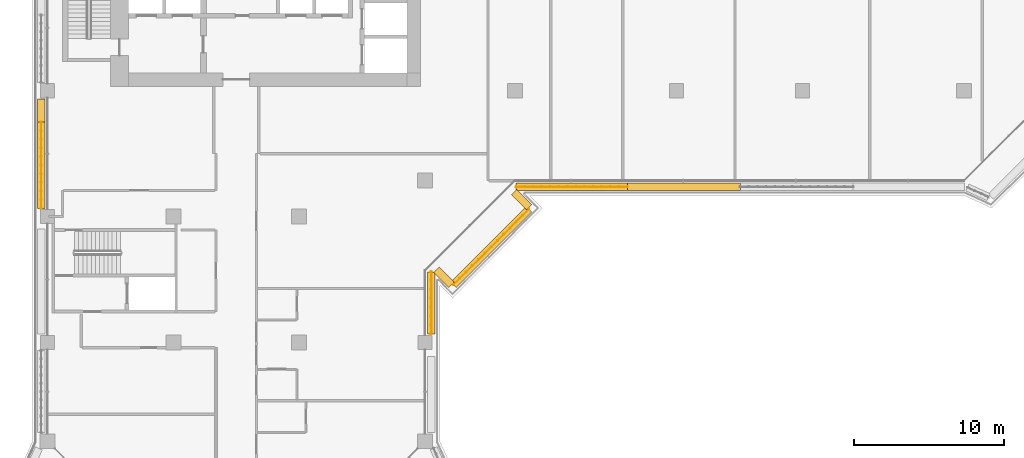
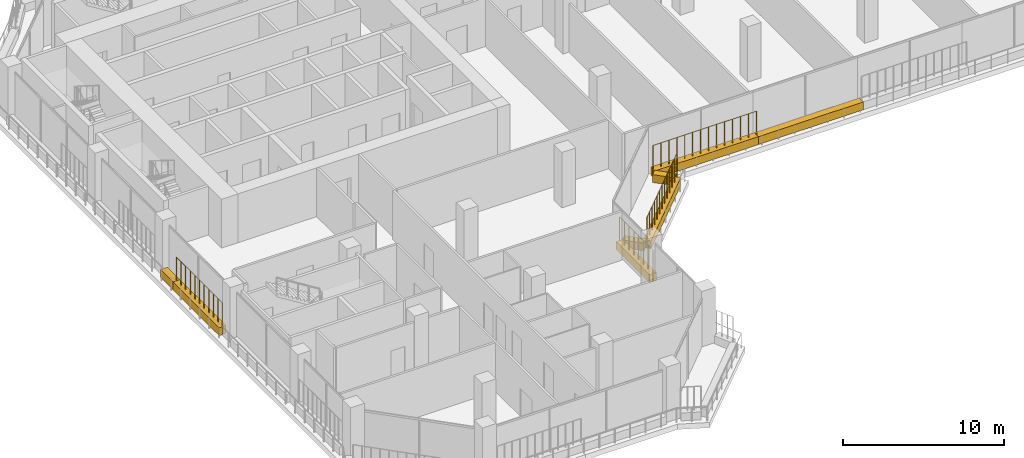
# One storey, part 17 of 22: 8 coverings, 4 railings.
"""IFC4 building model written with IfcOpenShell, lengths in metres."""

from ifc_helpers import new_model, si_unit, direction, frame, origin, origin_2d, place, context, subcontext, project, spatial, rectangle, circle, extrude, material, material_profile, profile_set, type_object, element, save


model = new_model("IFC4")

# Units and contexts
model_context = context("Model", 3, precision=1e-05, world=origin(), true_north=direction((0.0, 1.0)))
body_context = subcontext(model_context, "Body", "Model", "MODEL_VIEW")
ifc_project = project(units=[si_unit("LENGTHUNIT", "METRE"), si_unit("AREAUNIT", "SQUARE_METRE"), si_unit("VOLUMEUNIT", "CUBIC_METRE"), si_unit("PLANEANGLEUNIT", "RADIAN"), si_unit("MASSUNIT", "GRAM", prefix="KILO")], contexts=[model_context])

# Site, building, storey
site_placement = place(None, origin())
site = spatial("IfcSite", under=ifc_project, at=site_placement, CompositionType="ELEMENT")
building_placement = place(site_placement, origin())
building = spatial("IfcBuilding", under=site, at=building_placement, Name="Kawkab Arch Medical Tower", CompositionType="ELEMENT")
storey_placement = place(building_placement, frame((0.0, 0.0, 208.800048828125)))
storey = spatial("IfcBuildingStorey", under=building, at=storey_placement, Name="L48", CompositionType="ELEMENT", Elevation=208.800048828125)

# Coverings
ifc_material_1 = material(Name="Planting soil in a precast trough", Category="concrete")
ifc_material_profile = material_profile(ifc_material_1, rectangle(XDim=0.5, YDim=0.60009765625, at=origin_2d()), Name="Trough 500x600")
ifc_profile_set = profile_set([ifc_material_profile], Name="Planting soil in a precast trough")
covering_type = type_object("IfcCoveringType", Name="Planter trough 500 x 600", PredefinedType="USERDEFINED", material=ifc_profile_set)
covering_1_placement = place(storey_placement, frame((-0.419921875, -33.044921875, 0.300048828125), z_axis=(0.0, 1.0, 0.0), x_axis=(-1.0, 0.0, 0.0)))
element("IfcCovering", 1, at=covering_1_placement, inside=storey, type_object=covering_type, Name="Planter L48.LOG-01-01.9", ObjectType="PLANTER", PredefinedType="USERDEFINED", context=body_context, shape_type="SweptSolid", body=[
    extrude(rectangle(XDim=0.5, YDim=0.60009765625, at=origin_2d()), origin(), (0.0, 0.0, 1.0), 5.744873046875),
])
covering_2_placement = place(storey_placement, frame((-0.419921875, -27.300048828125, 0.300048828125), z_axis=(0.0, 1.0, 0.0), x_axis=(-1.0, 0.0, 0.0)))
element("IfcCovering", 2, at=covering_2_placement, inside=storey, type_object=covering_type, Name="Planter L48.LOG-01-01.10", ObjectType="PLANTER", PredefinedType="USERDEFINED", context=body_context, shape_type="SweptSolid", body=[
    extrude(rectangle(XDim=0.5, YDim=0.60009765625, at=origin_2d()), origin(), (0.0, 0.0, 1.0), 1.545166015625),
])
covering_3_placement = place(storey_placement, frame((46.2548828125, -31.6201171875, 0.300048828125), z_axis=(-1.0, 0.0, 0.0), x_axis=(0.0, -1.0, 0.0)))
element("IfcCovering", 3, at=covering_3_placement, inside=storey, type_object=covering_type, Name="Planter L48.LOG-01-01.36", ObjectType="PLANTER", PredefinedType="USERDEFINED", context=body_context, shape_type="SweptSolid", body=[
    extrude(rectangle(XDim=0.5, YDim=0.60009765625, at=origin_2d()), origin(), (0.0, 0.0, 1.0), 7.534912109375),
])
covering_4_placement = place(storey_placement, frame((38.719970703125, -31.6201171875, 0.300048828125), z_axis=(-1.0, 0.0, 0.0), x_axis=(0.0, -1.0, 0.0)))
element("IfcCovering", 4, at=covering_4_placement, inside=storey, type_object=covering_type, Name="Planter L48.LOG-01-01.37", ObjectType="PLANTER", PredefinedType="USERDEFINED", context=body_context, shape_type="SweptSolid", body=[
    extrude(rectangle(XDim=0.5, YDim=0.60009765625, at=origin_2d()), origin(), (0.0, 0.0, 1.0), 7.43505859375),
])
covering_5_placement = place(storey_placement, frame((31.14306640625, -31.962890625, 0.300048828125), z_axis=(0.707020805532, -0.707192746389, 0.0), x_axis=(0.707192746389, 0.707020805532, 0.0)))
element("IfcCovering", 5, at=covering_5_placement, inside=storey, type_object=covering_type, Name="Planter L48.LOG-01-01.38", ObjectType="PLANTER", PredefinedType="USERDEFINED", context=body_context, shape_type="SweptSolid", body=[
    extrude(rectangle(XDim=0.5, YDim=0.60009765625, at=origin_2d()), origin(), (0.0, 0.0, 1.0), 1.419921875),
])
covering_6_placement = place(storey_placement, frame((32.14697265625, -33.10888671875, 0.300048828125), z_axis=(-0.707106781187, -0.707106781187, 0.0), x_axis=(0.707106781187, -0.707106781187, 0.0)))
element("IfcCovering", 6, at=covering_6_placement, inside=storey, type_object=covering_type, Name="Planter L48.LOG-01-01.39", ObjectType="PLANTER", PredefinedType="USERDEFINED", context=body_context, shape_type="SweptSolid", body=[
    extrude(rectangle(XDim=0.5, YDim=0.60009765625, at=origin_2d()), origin(), (0.0, 0.0, 1.0), 7.125),
])
covering_7_placement = place(storey_placement, frame((26.967041015625, -38.14697265625, 0.300048828125), z_axis=(-0.707192746389, 0.707020805532, 0.0), x_axis=(-0.707020805532, -0.707192746389, 0.0)))
element("IfcCovering", 7, at=covering_7_placement, inside=storey, type_object=covering_type, Name="Planter L48.LOG-01-01.40", ObjectType="PLANTER", PredefinedType="USERDEFINED", context=body_context, shape_type="SweptSolid", body=[
    extrude(rectangle(XDim=0.5, YDim=0.60009765625, at=origin_2d()), origin(), (0.0, 0.0, 1.0), 1.419921875),
])
covering_8_placement = place(storey_placement, frame((25.6201171875, -37.284912109375, 0.300048828125), z_axis=(0.0, -1.0, 0.0), x_axis=(1.0, 0.0, 0.0)))
element("IfcCovering", 8, at=covering_8_placement, inside=storey, type_object=covering_type, Name="Planter L48.LOG-01-01.41", ObjectType="PLANTER", PredefinedType="USERDEFINED", context=body_context, shape_type="SweptSolid", body=[
    extrude(rectangle(XDim=0.5, YDim=0.60009765625, at=origin_2d()), origin(), (0.0, 0.0, 1.0), 4.16015625),
])

# Railings
ifc_material_2 = material(Name="Bronze anodised aluminium trellis for climbing plants", Category="aluminium")
railing_type = type_object("IfcRailingType", Name="Planting trellis 2400", PredefinedType="USERDEFINED", material=ifc_material_2)
railing_1_placement = place(storey_placement, frame((-0.419921875, -33.044921875, 0.0)))
element("IfcRailing", 9, at=railing_1_placement, inside=storey, type_object=railing_type, Name="Planting trellis L48.LOG-01-01.9", ObjectType="TRELLIS", PredefinedType="USERDEFINED", context=body_context, shape_type="SweptSolid", body=[
    extrude(circle(Radius=0.01513671875, at=origin_2d()), frame((0.0, 0.0, 2.384765625), z_axis=(0.0, 1.0, 0.0), x_axis=(-1.0, 0.0, 0.0)), (0.0, 0.0, 1.0), 5.744873046875),
    extrude(circle(Radius=0.030029296875, at=origin_2d()), origin(), (0.0, 0.0, 1.0), 2.369873046875),
    extrude(circle(Radius=0.030029296875, at=origin_2d()), frame((0.0, 0.574462890625, 0.0)), (0.0, 0.0, 1.0), 2.369873046875),
    extrude(circle(Radius=0.030029296875, at=origin_2d()), frame((0.0, 1.14892578125, 0.0)), (0.0, 0.0, 1.0), 2.369873046875),
    extrude(circle(Radius=0.030029296875, at=origin_2d()), frame((0.0, 1.723388671875, 0.0)), (0.0, 0.0, 1.0), 2.369873046875),
    extrude(circle(Radius=0.030029296875, at=origin_2d()), frame((0.0, 2.2978515625, 0.0)), (0.0, 0.0, 1.0), 2.369873046875),
    extrude(circle(Radius=0.030029296875, at=origin_2d()), frame((0.0, 2.87255859375, 0.0)), (0.0, 0.0, 1.0), 2.369873046875),
    extrude(circle(Radius=0.030029296875, at=origin_2d()), frame((0.0, 3.447021484375, 0.0)), (0.0, 0.0, 1.0), 2.369873046875),
    extrude(circle(Radius=0.030029296875, at=origin_2d()), frame((0.0, 4.021484375, 0.0)), (0.0, 0.0, 1.0), 2.369873046875),
    extrude(circle(Radius=0.030029296875, at=origin_2d()), frame((0.0, 4.595947265625, 0.0)), (0.0, 0.0, 1.0), 2.369873046875),
    extrude(circle(Radius=0.030029296875, at=origin_2d()), frame((0.0, 5.17041015625, 0.0)), (0.0, 0.0, 1.0), 2.369873046875),
    extrude(circle(Radius=0.030029296875, at=origin_2d()), frame((0.0, 5.744873046875, 0.0)), (0.0, 0.0, 1.0), 2.369873046875),
])
railing_2_placement = place(storey_placement, frame((38.719970703125, -31.6201171875, 0.0)))
element("IfcRailing", 10, at=railing_2_placement, inside=storey, type_object=railing_type, Name="Planting trellis L48.LOG-01-01.37", ObjectType="TRELLIS", PredefinedType="USERDEFINED", context=body_context, shape_type="SweptSolid", body=[
    extrude(circle(Radius=0.01513671875, at=origin_2d()), frame((0.0, 0.0, 2.384765625), z_axis=(-1.0, 0.0, 0.0), x_axis=(0.0, -1.0, 0.0)), (0.0, 0.0, 1.0), 7.43505859375),
    extrude(circle(Radius=0.030029296875, at=origin_2d()), origin(), (0.0, 0.0, 1.0), 2.369873046875),
    extrude(circle(Radius=0.030029296875, at=origin_2d()), frame((-0.572021484375, 0.0, 0.0)), (0.0, 0.0, 1.0), 2.369873046875),
    extrude(circle(Radius=0.030029296875, at=origin_2d()), frame((-1.143798828125, 0.0, 0.0)), (0.0, 0.0, 1.0), 2.369873046875),
    extrude(circle(Radius=0.030029296875, at=origin_2d()), frame((-1.7158203125, 0.0, 0.0)), (0.0, 0.0, 1.0), 2.369873046875),
    extrude(circle(Radius=0.030029296875, at=origin_2d()), frame((-2.28759765625, 0.0, 0.0)), (0.0, 0.0, 1.0), 2.369873046875),
    extrude(circle(Radius=0.030029296875, at=origin_2d()), frame((-2.859619140625, 0.0, 0.0)), (0.0, 0.0, 1.0), 2.369873046875),
    extrude(circle(Radius=0.030029296875, at=origin_2d()), frame((-3.431640625, 0.0, 0.0)), (0.0, 0.0, 1.0), 2.369873046875),
    extrude(circle(Radius=0.030029296875, at=origin_2d()), frame((-4.00341796875, 0.0, 0.0)), (0.0, 0.0, 1.0), 2.369873046875),
    extrude(circle(Radius=0.030029296875, at=origin_2d()), frame((-4.575439453125, 0.0, 0.0)), (0.0, 0.0, 1.0), 2.369873046875),
    extrude(circle(Radius=0.030029296875, at=origin_2d()), frame((-5.1474609375, 0.0, 0.0)), (0.0, 0.0, 1.0), 2.369873046875),
    extrude(circle(Radius=0.030029296875, at=origin_2d()), frame((-5.71923828125, 0.0, 0.0)), (0.0, 0.0, 1.0), 2.369873046875),
    extrude(circle(Radius=0.030029296875, at=origin_2d()), frame((-6.291259765625, 0.0, 0.0)), (0.0, 0.0, 1.0), 2.369873046875),
    extrude(circle(Radius=0.030029296875, at=origin_2d()), frame((-6.863037109375, 0.0, 0.0)), (0.0, 0.0, 1.0), 2.369873046875),
    extrude(circle(Radius=0.030029296875, at=origin_2d()), frame((-7.43505859375, 0.0, 0.0)), (0.0, 0.0, 1.0), 2.369873046875),
])
railing_3_placement = place(storey_placement, frame((32.14697265625, -33.10888671875, 0.0)))
element("IfcRailing", 11, at=railing_3_placement, inside=storey, type_object=railing_type, Name="Planting trellis L48.LOG-01-01.39", ObjectType="TRELLIS", PredefinedType="USERDEFINED", context=body_context, shape_type="SweptSolid", body=[
    extrude(circle(Radius=0.01513671875, at=origin_2d()), frame((0.0, 0.0, 2.384765625), z_axis=(-0.707106781187, -0.707106781187, 0.0), x_axis=(0.707106781187, -0.707106781187, 0.0)), (0.0, 0.0, 1.0), 7.125),
    extrude(circle(Radius=0.030029296875, at=origin_2d()), origin(), (0.0, 0.0, 1.0), 2.369873046875),
    extrude(circle(Radius=0.030029296875, at=origin_2d()), frame((-0.419921875, -0.419921875, 0.0)), (0.0, 0.0, 1.0), 2.369873046875),
    extrude(circle(Radius=0.030029296875, at=origin_2d()), frame((-0.839599609375, -0.839599609375, 0.0)), (0.0, 0.0, 1.0), 2.369873046875),
    extrude(circle(Radius=0.030029296875, at=origin_2d()), frame((-1.259521484375, -1.259521484375, 0.0)), (0.0, 0.0, 1.0), 2.369873046875),
    extrude(circle(Radius=0.030029296875, at=origin_2d()), frame((-1.679443359375, -1.679443359375, 0.0)), (0.0, 0.0, 1.0), 2.369873046875),
    extrude(circle(Radius=0.030029296875, at=origin_2d()), frame((-2.09912109375, -2.09912109375, 0.0)), (0.0, 0.0, 1.0), 2.369873046875),
    extrude(circle(Radius=0.030029296875, at=origin_2d()), frame((-2.51904296875, -2.51904296875, 0.0)), (0.0, 0.0, 1.0), 2.369873046875),
    extrude(circle(Radius=0.030029296875, at=origin_2d()), frame((-2.93896484375, -2.93896484375, 0.0)), (0.0, 0.0, 1.0), 2.369873046875),
    extrude(circle(Radius=0.030029296875, at=origin_2d()), frame((-3.358642578125, -3.358642578125, 0.0)), (0.0, 0.0, 1.0), 2.369873046875),
    extrude(circle(Radius=0.030029296875, at=origin_2d()), frame((-3.778564453125, -3.778564453125, 0.0)), (0.0, 0.0, 1.0), 2.369873046875),
    extrude(circle(Radius=0.030029296875, at=origin_2d()), frame((-4.198486328125, -4.198486328125, 0.0)), (0.0, 0.0, 1.0), 2.369873046875),
    extrude(circle(Radius=0.030029296875, at=origin_2d()), frame((-4.6181640625, -4.6181640625, 0.0)), (0.0, 0.0, 1.0), 2.369873046875),
    extrude(circle(Radius=0.030029296875, at=origin_2d()), frame((-5.0380859375, -5.0380859375, 0.0)), (0.0, 0.0, 1.0), 2.369873046875),
])
railing_4_placement = place(storey_placement, frame((25.6201171875, -37.284912109375, 0.0)))
element("IfcRailing", 12, at=railing_4_placement, inside=storey, type_object=railing_type, Name="Planting trellis L48.LOG-01-01.41", ObjectType="TRELLIS", PredefinedType="USERDEFINED", context=body_context, shape_type="SweptSolid", body=[
    extrude(circle(Radius=0.01513671875, at=origin_2d()), frame((0.0, 0.0, 2.384765625), z_axis=(0.0, -1.0, 0.0), x_axis=(1.0, 0.0, 0.0)), (0.0, 0.0, 1.0), 4.16015625),
    extrude(circle(Radius=0.030029296875, at=origin_2d()), origin(), (0.0, 0.0, 1.0), 2.369873046875),
    extrude(circle(Radius=0.030029296875, at=origin_2d()), frame((0.0, -0.59423828125, 0.0)), (0.0, 0.0, 1.0), 2.369873046875),
    extrude(circle(Radius=0.030029296875, at=origin_2d()), frame((0.0, -1.188720703125, 0.0)), (0.0, 0.0, 1.0), 2.369873046875),
    extrude(circle(Radius=0.030029296875, at=origin_2d()), frame((0.0, -1.782958984375, 0.0)), (0.0, 0.0, 1.0), 2.369873046875),
    extrude(circle(Radius=0.030029296875, at=origin_2d()), frame((0.0, -2.377197265625, 0.0)), (0.0, 0.0, 1.0), 2.369873046875),
    extrude(circle(Radius=0.030029296875, at=origin_2d()), frame((0.0, -2.971435546875, 0.0)), (0.0, 0.0, 1.0), 2.369873046875),
    extrude(circle(Radius=0.030029296875, at=origin_2d()), frame((0.0, -3.56591796875, 0.0)), (0.0, 0.0, 1.0), 2.369873046875),
    extrude(circle(Radius=0.030029296875, at=origin_2d()), frame((0.0, -4.16015625, 0.0)), (0.0, 0.0, 1.0), 2.369873046875),
])

save(model, "model.ifc")
